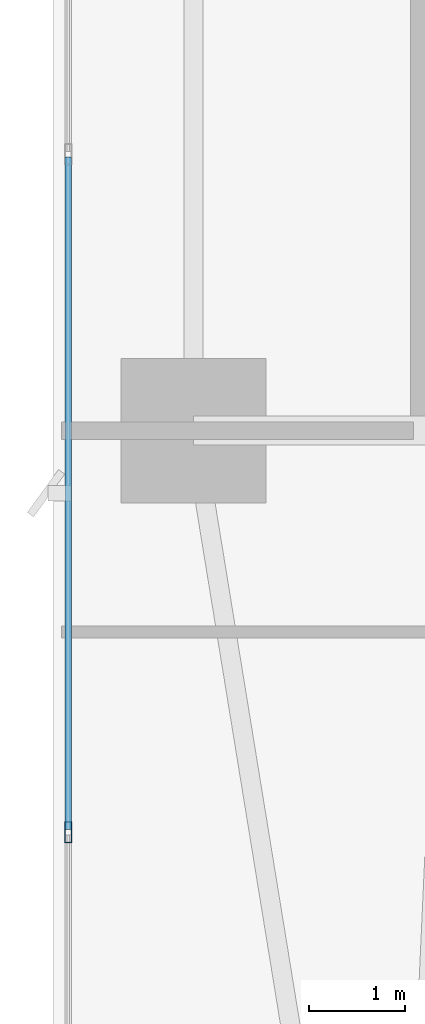
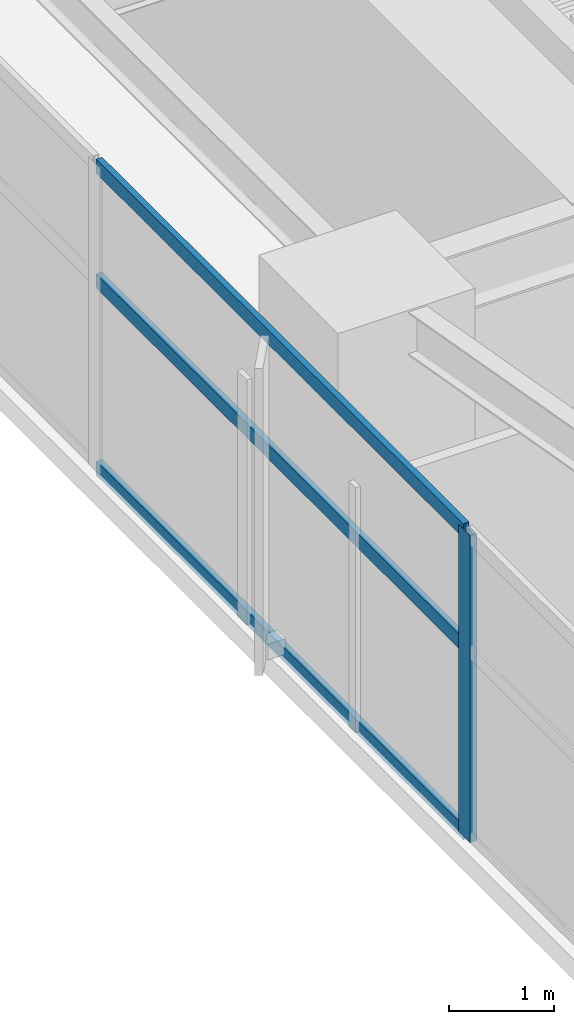
# One storey, part 4 of 29: 4 members, 1 element without a shape of its own.
"""IFC4 building model written with IfcOpenShell, lengths in metres."""

from ifc_helpers import new_model, si_unit, direction, frame, origin, origin_2d, place, context, subcontext, project, spatial, hollow_rectangle, extrude, material, layer, layer_set, material_profile, profile_set, type_object, element, aggregate, save


model = new_model("IFC4")

# Units and contexts
model_context = context("Model", 3, precision=1e-05, world=origin(), true_north=direction((0.0, 1.0)))
body_context = subcontext(model_context, "Body", "Model", "MODEL_VIEW")
ifc_project = project(units=[si_unit("LENGTHUNIT", "METRE"), si_unit("AREAUNIT", "SQUARE_METRE"), si_unit("VOLUMEUNIT", "CUBIC_METRE"), si_unit("PLANEANGLEUNIT", "RADIAN"), si_unit("MASSUNIT", "GRAM", prefix="KILO")], contexts=[model_context])

# Site, building, storey
site_placement = place(None, origin())
site = spatial("IfcSite", under=ifc_project, at=site_placement, CompositionType="ELEMENT")
building_placement = place(site_placement, origin())
building = spatial("IfcBuilding", under=site, at=building_placement, Name="Calvorn Quay Hotel", CompositionType="ELEMENT")
storey_placement = place(building_placement, frame((0.0, 0.0, 66.0)))
storey = spatial("IfcBuildingStorey", under=building, at=storey_placement, Name="L15", CompositionType="ELEMENT", Elevation=66.0)

# Curtain wall, members
ifc_material_1 = material(Name="Pale Anodised Aluminium and Low-E Glass", Category="aluminium")
ifc_layer = layer(ifc_material_1, 0.219970703125)
ifc_layer_set = layer_set([ifc_layer], Name="CW-SYS-Z1")
curtain_wall_type = type_object("IfcCurtainWallType", Name="CW-SYS-Z1", PredefinedType="NOTDEFINED", material=ifc_layer_set)
curtain_wall_placement = place(storey_placement, origin())
curtain_wall = element("IfcCurtainWall", 1, at=curtain_wall_placement, inside=storey, type_object=curtain_wall_type, Name="Tower West Curtain Wall (L15)", PredefinedType="NOTDEFINED")
ifc_material_2 = material(Name="Pale Anodised Aluminium 6063-T6", Category="aluminium")
ifc_material_profile_1 = material_profile(ifc_material_2, hollow_rectangle(XDim=0.074951171875, YDim=0.219970703125, WallThickness=0.00439453125, at=origin_2d()), Name="ALU-M220x75x4.5")
ifc_profile_set_1 = profile_set([ifc_material_profile_1], Name="Pale Anodised Aluminium 6063-T6")
member_type_1 = type_object("IfcMemberType", Name="CW-SYS-Z1-MUL", PredefinedType="MULLION", material=ifc_profile_set_1)
member_1_placement = place(storey_placement, frame((0.14990234375, 12.63330078125, 0.0), z_axis=(0.0, 0.0, 1.0), x_axis=(-1.0, 0.0, 0.0)))
member_1 = element("IfcMember", 2, at=member_1_placement, type_object=member_type_1, Name="CW-L15-W mullion 2", PredefinedType="MULLION", context=body_context, shape_type="SweptSolid", body=[
    extrude(hollow_rectangle(XDim=0.074951171875, YDim=0.219970703125, WallThickness=0.00439453125, at=origin_2d()), origin(), (0.0, 0.0, 1.0), 3.56005859375),
])
ifc_material_3 = material(Name="Pale Anodised Aluminium 6063-T6", Category="aluminium")
ifc_material_profile_2 = material_profile(ifc_material_3, hollow_rectangle(XDim=0.06494140625, YDim=0.1650390625, WallThickness=0.00341796875, at=origin_2d()), Name="ALU-T165x65x3.5")
ifc_profile_set_2 = profile_set([ifc_material_profile_2], Name="Pale Anodised Aluminium 6063-T6")
member_type_2 = type_object("IfcMemberType", Name="CW-SYS-Z1-TRN", PredefinedType="USERDEFINED", material=ifc_profile_set_2)
member_2_placement = place(storey_placement, frame((0.14990234375, 12.663330078125, 0.030029296875), z_axis=(0.0, 1.0, 0.0), x_axis=(-1.0, 0.0, 0.0)))
member_2 = element("IfcMember", 3, at=member_2_placement, type_object=member_type_2, Name="CW-L15-W transom 2.1", ObjectType="TRANSOM", PredefinedType="USERDEFINED", context=body_context, shape_type="SweptSolid", body=[
    extrude(hollow_rectangle(XDim=0.06494140625, YDim=0.1650390625, WallThickness=0.00341796875, at=origin_2d()), origin(), (0.0, 0.0, 1.0), 6.973388671875),
])
member_3_placement = place(storey_placement, frame((0.14990234375, 12.663330078125, 2.199951171875), z_axis=(0.0, 1.0, 0.0), x_axis=(-1.0, 0.0, 0.0)))
member_3 = element("IfcMember", 4, at=member_3_placement, type_object=member_type_2, Name="CW-L15-W transom 2.2", ObjectType="TRANSOM", PredefinedType="USERDEFINED", context=body_context, shape_type="SweptSolid", body=[
    extrude(hollow_rectangle(XDim=0.06494140625, YDim=0.1650390625, WallThickness=0.00341796875, at=origin_2d()), origin(), (0.0, 0.0, 1.0), 6.973388671875),
])
member_4_placement = place(storey_placement, frame((0.14990234375, 12.663330078125, 3.530029296875), z_axis=(0.0, 1.0, 0.0), x_axis=(-1.0, 0.0, 0.0)))
member_4 = element("IfcMember", 5, at=member_4_placement, type_object=member_type_2, Name="CW-L15-W transom 2.3", ObjectType="TRANSOM", PredefinedType="USERDEFINED", context=body_context, shape_type="SweptSolid", body=[
    extrude(hollow_rectangle(XDim=0.06494140625, YDim=0.1650390625, WallThickness=0.00341796875, at=origin_2d()), origin(), (0.0, 0.0, 1.0), 6.973388671875),
])
aggregate(curtain_wall, [member_1, member_2, member_3, member_4])

save(model, "model.ifc")
